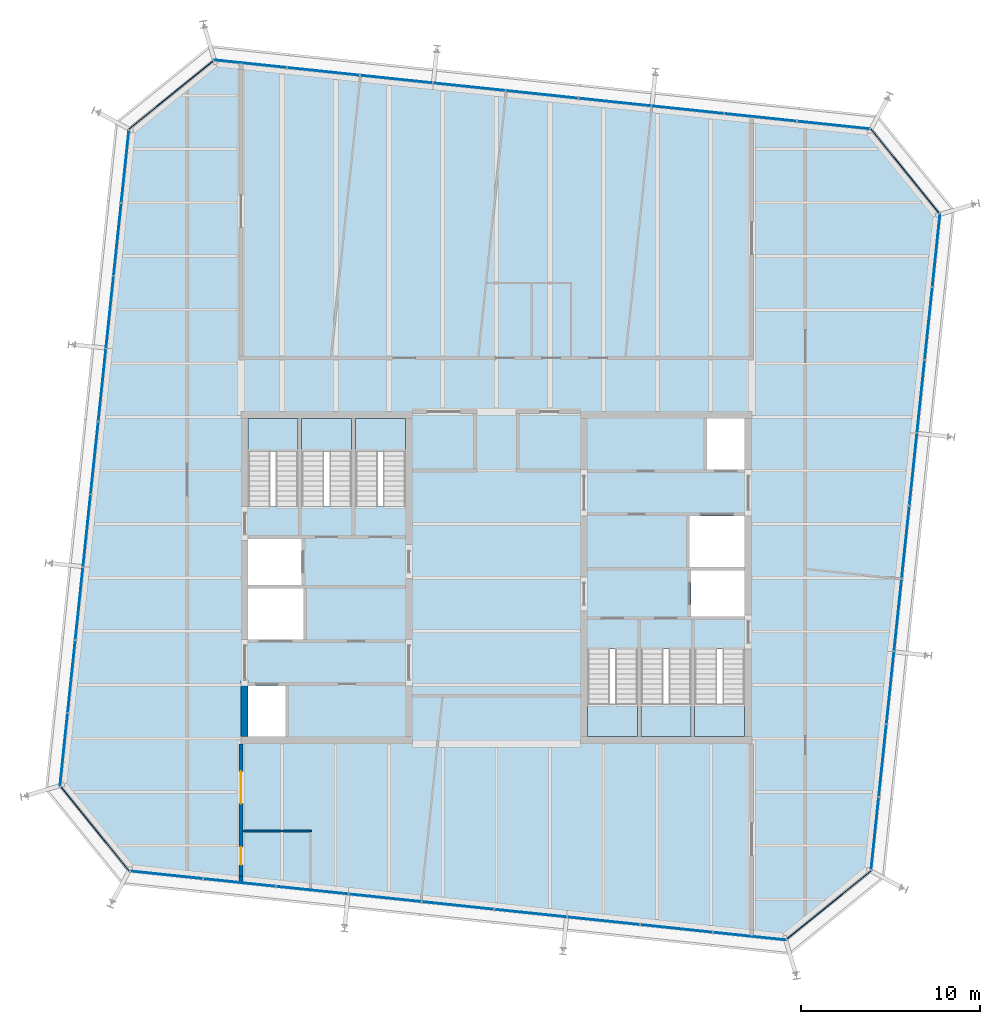
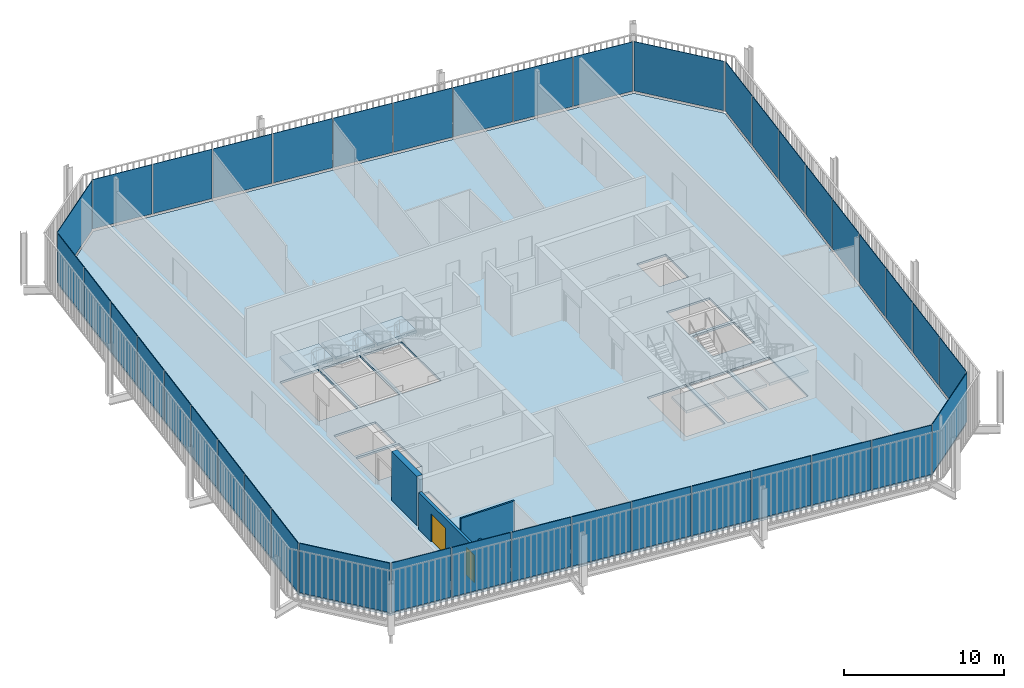
# One storey, part 15 of 20: 40 plates, 7 slabs, 4 walls, 2 doors, 2 openings, 14 elements without a shape of their own.
"""IFC4 building model written with IfcOpenShell, lengths in metres."""

from ifc_helpers import new_model, si_unit, direction, frame, frame_2d, origin, place, context, subcontext, project, spatial, polyline, rectangle, outline, extrude, material, layer, layer_set, type_object, element, fill, aggregate, save


model = new_model("IFC4")

# Units and contexts
model_context = context("Model", 3, precision=1e-05, world=origin(), true_north=direction((0.0, 1.0)))
body_context = subcontext(model_context, "Body", "Model", "MODEL_VIEW")
ifc_project = project(units=[si_unit("LENGTHUNIT", "METRE"), si_unit("AREAUNIT", "SQUARE_METRE"), si_unit("VOLUMEUNIT", "CUBIC_METRE"), si_unit("PLANEANGLEUNIT", "RADIAN"), si_unit("MASSUNIT", "GRAM", prefix="KILO")], contexts=[model_context])

# Site, building, storey
site_placement = place(None, origin())
site = spatial("IfcSite", under=ifc_project, at=site_placement, CompositionType="ELEMENT")
building_placement = place(site_placement, origin())
building = spatial("IfcBuilding", under=site, at=building_placement, Name="Millrace Tower", CompositionType="ELEMENT")
storey_placement = place(building_placement, frame((0.0, 0.0, 279.89990234375)))
storey = spatial("IfcBuildingStorey", under=building, at=storey_placement, Name="L64", CompositionType="ELEMENT", Elevation=279.89990234375)

# Curtain wall, plate
ifc_material_1 = material(Name="Aluminium and glass", Category="aluminium")
ifc_layer_1 = layer(ifc_material_1, 0.14990234375)
ifc_layer_set_1 = layer_set([ifc_layer_1], Name="Aluminium and glass")
curtain_wall_type = type_object("IfcCurtainWallType", Name="CW-1 office vision curtain wall", PredefinedType="NOTDEFINED", material=ifc_layer_set_1)
placement_1 = place(storey_placement, origin())
curtain_wall_1 = element("IfcCurtainWall", 1, at=placement_1, inside=storey, type_object=curtain_wall_type, Name="Curtain wall E-F01 L64", PredefinedType="NOTDEFINED")
ifc_material_2 = material(Name="Glass", Category="glass")
ifc_layer_2 = layer(ifc_material_2, 0.0439453125)
ifc_layer_set_2 = layer_set([ifc_layer_2], Name="Glass")
plate_type = type_object("IfcPlateType", Name="CW-1 office vision curtain wall triple-glazed vision panel", PredefinedType="CURTAIN_PANEL", material=ifc_layer_set_2)
placement_2 = place(storey_placement, frame((0.0, 0.0, 0.14013671875)))
plate_1 = element("IfcPlate", 2, at=placement_2, type_object=plate_type, Name="CW1 panel E-F01.1", PredefinedType="CURTAIN_PANEL", context=body_context, shape_type="SweptSolid", body=[
    extrude(outline(polyline([(-24.388427734375, -11.732421875), (-20.5771484375, -16.439208984375), (-20.554443359375, -16.397216796875), (-24.354248046875, -11.704833984375), (-24.388427734375, -11.732421875)])), origin(), (0.0, 0.0, 1.0), 3.760009765625),
])
aggregate(curtain_wall_1, [plate_1])

# Curtain wall, plates
curtain_wall_2 = element("IfcCurtainWall", 3, at=placement_1, inside=storey, type_object=curtain_wall_type, Name="Curtain wall E-F02 L64", PredefinedType="NOTDEFINED")
plate_2 = element("IfcPlate", 4, at=placement_2, type_object=plate_type, Name="CW1 panel E-F02.1", PredefinedType="CURTAIN_PANEL", context=body_context, shape_type="SweptSolid", body=[
    extrude(outline(polyline([(-20.472412109375, -16.4501953125), (-16.45947265625, -16.871826171875), (-16.454833984375, -16.828125), (-20.4677734375, -16.40625), (-20.472412109375, -16.4501953125)])), origin(), (0.0, 0.0, 1.0), 3.760009765625),
])
plate_3 = element("IfcPlate", 5, at=placement_2, type_object=plate_type, Name="CW1 panel E-F02.2", PredefinedType="CURTAIN_PANEL", context=body_context, shape_type="SweptSolid", body=[
    extrude(outline(polyline([(-16.39501953125, -16.878662109375), (-12.382080078125, -17.300537109375), (-12.37744140625, -17.256591796875), (-16.390380859375, -16.8349609375), (-16.39501953125, -16.878662109375)])), origin(), (0.0, 0.0, 1.0), 3.760009765625),
])
plate_4 = element("IfcPlate", 6, at=placement_2, type_object=plate_type, Name="CW1 panel E-F02.3", PredefinedType="CURTAIN_PANEL", context=body_context, shape_type="SweptSolid", body=[
    extrude(outline(polyline([(-12.3173828125, -17.30712890625), (-8.304443359375, -17.72900390625), (-8.2998046875, -17.685302734375), (-12.312744140625, -17.263427734375), (-12.3173828125, -17.30712890625)])), origin(), (0.0, 0.0, 1.0), 3.760009765625),
])
plate_5 = element("IfcPlate", 7, at=placement_2, type_object=plate_type, Name="CW1 panel E-F02.4", PredefinedType="CURTAIN_PANEL", context=body_context, shape_type="SweptSolid", body=[
    extrude(outline(polyline([(-8.23974609375, -17.73583984375), (-4.22705078125, -18.157470703125), (-4.222412109375, -18.11376953125), (-8.235107421875, -17.692138671875), (-8.23974609375, -17.73583984375)])), origin(), (0.0, 0.0, 1.0), 3.760009765625),
])
plate_6 = element("IfcPlate", 8, at=placement_2, type_object=plate_type, Name="CW1 panel E-F02.5", PredefinedType="CURTAIN_PANEL", context=body_context, shape_type="SweptSolid", body=[
    extrude(outline(polyline([(-4.162353515625, -18.164306640625), (-0.1494140625, -18.586181640625), (-0.144775390625, -18.54248046875), (-4.15771484375, -18.12060546875), (-4.162353515625, -18.164306640625)])), origin(), (0.0, 0.0, 1.0), 3.760009765625),
])
plate_7 = element("IfcPlate", 9, at=placement_2, type_object=plate_type, Name="CW1 panel E-F02.6", PredefinedType="CURTAIN_PANEL", context=body_context, shape_type="SweptSolid", body=[
    extrude(outline(polyline([(-0.084716796875, -18.593017578125), (3.92822265625, -19.0146484375), (3.932861328125, -18.970947265625), (-0.080078125, -18.549072265625), (-0.084716796875, -18.593017578125)])), origin(), (0.0, 0.0, 1.0), 3.760009765625),
])
plate_8 = element("IfcPlate", 10, at=placement_2, type_object=plate_type, Name="CW1 panel E-F02.7", PredefinedType="CURTAIN_PANEL", context=body_context, shape_type="SweptSolid", body=[
    extrude(outline(polyline([(3.99267578125, -19.021484375), (8.005615234375, -19.443359375), (8.01025390625, -19.3994140625), (3.997314453125, -18.977783203125), (3.99267578125, -19.021484375)])), origin(), (0.0, 0.0, 1.0), 3.760009765625),
])
plate_9 = element("IfcPlate", 11, at=placement_2, type_object=plate_type, Name="CW1 panel E-F02.8", PredefinedType="CURTAIN_PANEL", context=body_context, shape_type="SweptSolid", body=[
    extrude(outline(polyline([(8.0703125, -19.449951171875), (12.083251953125, -19.871826171875), (12.087890625, -19.828125), (8.074951171875, -19.40625), (8.0703125, -19.449951171875)])), origin(), (0.0, 0.0, 1.0), 3.760009765625),
])
plate_10 = element("IfcPlate", 12, at=placement_2, type_object=plate_type, Name="CW1 panel E-F02.9", PredefinedType="CURTAIN_PANEL", context=body_context, shape_type="SweptSolid", body=[
    extrude(outline(polyline([(12.14794921875, -19.878662109375), (16.20068359375, -20.3046875), (16.187255859375, -20.259033203125), (12.152587890625, -19.8349609375), (12.14794921875, -19.878662109375)])), origin(), (0.0, 0.0, 1.0), 3.760009765625),
])
aggregate(curtain_wall_2, [plate_2, plate_3, plate_4, plate_5, plate_6, plate_7, plate_8, plate_9, plate_10])

# Curtain wall, plate
curtain_wall_3 = element("IfcCurtainWall", 13, at=placement_1, inside=storey, type_object=curtain_wall_type, Name="Curtain wall E-F03 L64", PredefinedType="NOTDEFINED")
plate_11 = element("IfcPlate", 14, at=placement_2, type_object=plate_type, Name="CW1 panel E-F03.1", PredefinedType="CURTAIN_PANEL", context=body_context, shape_type="SweptSolid", body=[
    extrude(outline(polyline([(16.282470703125, -20.23828125), (20.989013671875, -16.427001953125), (20.947265625, -16.404296875), (16.2548828125, -20.2041015625), (16.282470703125, -20.23828125)])), origin(), (0.0, 0.0, 1.0), 3.760009765625),
])
aggregate(curtain_wall_3, [plate_11])

# Curtain wall, plates
curtain_wall_4 = element("IfcCurtainWall", 15, at=placement_1, inside=storey, type_object=curtain_wall_type, Name="Curtain wall E-F04 L64", PredefinedType="NOTDEFINED")
plate_12 = element("IfcPlate", 16, at=placement_2, type_object=plate_type, Name="CW1 panel E-F04.1", PredefinedType="CURTAIN_PANEL", context=body_context, shape_type="SweptSolid", body=[
    extrude(outline(polyline([(21.0, -16.322509765625), (21.421875, -12.3095703125), (21.378173828125, -12.304931640625), (20.956298828125, -16.31787109375), (21.0, -16.322509765625)])), origin(), (0.0, 0.0, 1.0), 3.760009765625),
])
plate_13 = element("IfcPlate", 17, at=placement_2, type_object=plate_type, Name="CW1 panel E-F04.2", PredefinedType="CURTAIN_PANEL", context=body_context, shape_type="SweptSolid", body=[
    extrude(outline(polyline([(21.4287109375, -12.244873046875), (21.850341796875, -8.23193359375), (21.806640625, -8.227294921875), (21.385009765625, -12.240234375), (21.4287109375, -12.244873046875)])), origin(), (0.0, 0.0, 1.0), 3.760009765625),
])
plate_14 = element("IfcPlate", 18, at=placement_2, type_object=plate_type, Name="CW1 panel E-F04.3", PredefinedType="CURTAIN_PANEL", context=body_context, shape_type="SweptSolid", body=[
    extrude(outline(polyline([(21.857177734375, -8.16748046875), (22.279052734375, -4.154541015625), (22.2353515625, -4.14990234375), (21.8134765625, -8.162841796875), (21.857177734375, -8.16748046875)])), origin(), (0.0, 0.0, 1.0), 3.760009765625),
])
plate_15 = element("IfcPlate", 19, at=placement_2, type_object=plate_type, Name="CW1 panel E-F04.4", PredefinedType="CURTAIN_PANEL", context=body_context, shape_type="SweptSolid", body=[
    extrude(outline(polyline([(22.285888671875, -4.08984375), (22.70751953125, -0.076904296875), (22.663818359375, -0.072265625), (22.241943359375, -4.085205078125), (22.285888671875, -4.08984375)])), origin(), (0.0, 0.0, 1.0), 3.760009765625),
])
plate_16 = element("IfcPlate", 20, at=placement_2, type_object=plate_type, Name="CW1 panel E-F04.5", PredefinedType="CURTAIN_PANEL", context=body_context, shape_type="SweptSolid", body=[
    extrude(outline(polyline([(22.71435546875, -0.01220703125), (23.13623046875, 4.00048828125), (23.09228515625, 4.005126953125), (22.670654296875, -0.007568359375), (22.71435546875, -0.01220703125)])), origin(), (0.0, 0.0, 1.0), 3.760009765625),
])
plate_17 = element("IfcPlate", 21, at=placement_2, type_object=plate_type, Name="CW1 panel E-F04.6", PredefinedType="CURTAIN_PANEL", context=body_context, shape_type="SweptSolid", body=[
    extrude(outline(polyline([(23.142822265625, 4.065185546875), (23.564697265625, 8.078125), (23.52099609375, 8.082763671875), (23.09912109375, 4.06982421875), (23.142822265625, 4.065185546875)])), origin(), (0.0, 0.0, 1.0), 3.760009765625),
])
plate_18 = element("IfcPlate", 22, at=placement_2, type_object=plate_type, Name="CW1 panel E-F04.7", PredefinedType="CURTAIN_PANEL", context=body_context, shape_type="SweptSolid", body=[
    extrude(outline(polyline([(23.571533203125, 8.142822265625), (23.9931640625, 12.15576171875), (23.949462890625, 12.160400390625), (23.52783203125, 8.1474609375), (23.571533203125, 8.142822265625)])), origin(), (0.0, 0.0, 1.0), 3.760009765625),
])
plate_19 = element("IfcPlate", 23, at=placement_2, type_object=plate_type, Name="CW1 panel E-F04.8", PredefinedType="CURTAIN_PANEL", context=body_context, shape_type="SweptSolid", body=[
    extrude(outline(polyline([(24.0, 12.22021484375), (24.421875, 16.233154296875), (24.378173828125, 16.23779296875), (23.956298828125, 12.224853515625), (24.0, 12.22021484375)])), origin(), (0.0, 0.0, 1.0), 3.760009765625),
])
plate_20 = element("IfcPlate", 24, at=placement_2, type_object=plate_type, Name="CW1 panel E-F04.9", PredefinedType="CURTAIN_PANEL", context=body_context, shape_type="SweptSolid", body=[
    extrude(outline(polyline([(24.4287109375, 16.2978515625), (24.8544921875, 20.350830078125), (24.808837890625, 20.337158203125), (24.384765625, 16.302490234375), (24.4287109375, 16.2978515625)])), origin(), (0.0, 0.0, 1.0), 3.760009765625),
])
aggregate(curtain_wall_4, [plate_12, plate_13, plate_14, plate_15, plate_16, plate_17, plate_18, plate_19, plate_20])

# Curtain wall, plate
curtain_wall_5 = element("IfcCurtainWall", 25, at=placement_1, inside=storey, type_object=curtain_wall_type, Name="Curtain wall E-F05 L64", PredefinedType="NOTDEFINED")
plate_21 = element("IfcPlate", 26, at=placement_2, type_object=plate_type, Name="CW1 panel E-F05.1", PredefinedType="CURTAIN_PANEL", context=body_context, shape_type="SweptSolid", body=[
    extrude(outline(polyline([(24.788330078125, 20.432373046875), (20.97705078125, 25.13916015625), (20.954345703125, 25.09716796875), (24.754150390625, 20.40478515625), (24.788330078125, 20.432373046875)])), origin(), (0.0, 0.0, 1.0), 3.760009765625),
])
aggregate(curtain_wall_5, [plate_21])

# Curtain wall, plates
curtain_wall_6 = element("IfcCurtainWall", 27, at=placement_1, inside=storey, type_object=curtain_wall_type, Name="Curtain wall E-F06 L64", PredefinedType="NOTDEFINED")
plate_22 = element("IfcPlate", 28, at=placement_2, type_object=plate_type, Name="CW1 panel E-F06.1", PredefinedType="CURTAIN_PANEL", context=body_context, shape_type="SweptSolid", body=[
    extrude(outline(polyline([(20.87255859375, 25.150146484375), (16.859619140625, 25.57177734375), (16.85498046875, 25.528076171875), (20.867919921875, 25.1064453125), (20.87255859375, 25.150146484375)])), origin(), (0.0, 0.0, 1.0), 3.760009765625),
])
plate_23 = element("IfcPlate", 29, at=placement_2, type_object=plate_type, Name="CW1 panel E-F06.2", PredefinedType="CURTAIN_PANEL", context=body_context, shape_type="SweptSolid", body=[
    extrude(outline(polyline([(16.794921875, 25.57861328125), (12.781982421875, 26.00048828125), (12.77734375, 25.956787109375), (16.790283203125, 25.534912109375), (16.794921875, 25.57861328125)])), origin(), (0.0, 0.0, 1.0), 3.760009765625),
])
plate_24 = element("IfcPlate", 30, at=placement_2, type_object=plate_type, Name="CW1 panel E-F06.3", PredefinedType="CURTAIN_PANEL", context=body_context, shape_type="SweptSolid", body=[
    extrude(outline(polyline([(12.71728515625, 26.00732421875), (8.70458984375, 26.428955078125), (8.699951171875, 26.38525390625), (12.712646484375, 25.96337890625), (12.71728515625, 26.00732421875)])), origin(), (0.0, 0.0, 1.0), 3.760009765625),
])
plate_25 = element("IfcPlate", 31, at=placement_2, type_object=plate_type, Name="CW1 panel E-F06.4", PredefinedType="CURTAIN_PANEL", context=body_context, shape_type="SweptSolid", body=[
    extrude(outline(polyline([(8.639892578125, 26.435791015625), (4.626953125, 26.857666015625), (4.622314453125, 26.813720703125), (8.63525390625, 26.39208984375), (8.639892578125, 26.435791015625)])), origin(), (0.0, 0.0, 1.0), 3.760009765625),
])
plate_26 = element("IfcPlate", 32, at=placement_2, type_object=plate_type, Name="CW1 panel E-F06.5", PredefinedType="CURTAIN_PANEL", context=body_context, shape_type="SweptSolid", body=[
    extrude(outline(polyline([(4.562255859375, 26.8642578125), (0.54931640625, 27.2861328125), (0.544677734375, 27.242431640625), (4.5576171875, 26.820556640625), (4.562255859375, 26.8642578125)])), origin(), (0.0, 0.0, 1.0), 3.760009765625),
])
plate_27 = element("IfcPlate", 33, at=placement_2, type_object=plate_type, Name="CW1 panel E-F06.6", PredefinedType="CURTAIN_PANEL", context=body_context, shape_type="SweptSolid", body=[
    extrude(outline(polyline([(0.48486328125, 27.29296875), (-3.528076171875, 27.714599609375), (-3.53271484375, 27.6708984375), (0.480224609375, 27.249267578125), (0.48486328125, 27.29296875)])), origin(), (0.0, 0.0, 1.0), 3.760009765625),
])
plate_28 = element("IfcPlate", 34, at=placement_2, type_object=plate_type, Name="CW1 panel E-F06.7", PredefinedType="CURTAIN_PANEL", context=body_context, shape_type="SweptSolid", body=[
    extrude(outline(polyline([(-3.5927734375, 27.721435546875), (-7.605712890625, 28.143310546875), (-7.6103515625, 28.099609375), (-3.597412109375, 27.677734375), (-3.5927734375, 27.721435546875)])), origin(), (0.0, 0.0, 1.0), 3.760009765625),
])
plate_29 = element("IfcPlate", 35, at=placement_2, type_object=plate_type, Name="CW1 panel E-F06.8", PredefinedType="CURTAIN_PANEL", context=body_context, shape_type="SweptSolid", body=[
    extrude(outline(polyline([(-7.67041015625, 28.150146484375), (-11.68310546875, 28.57177734375), (-11.687744140625, 28.528076171875), (-7.675048828125, 28.106201171875), (-7.67041015625, 28.150146484375)])), origin(), (0.0, 0.0, 1.0), 3.760009765625),
])
plate_30 = element("IfcPlate", 36, at=placement_2, type_object=plate_type, Name="CW1 panel E-F06.9", PredefinedType="CURTAIN_PANEL", context=body_context, shape_type="SweptSolid", body=[
    extrude(outline(polyline([(-11.747802734375, 28.57861328125), (-15.80078125, 29.004638671875), (-15.787109375, 28.958984375), (-11.75244140625, 28.534912109375), (-11.747802734375, 28.57861328125)])), origin(), (0.0, 0.0, 1.0), 3.760009765625),
])
aggregate(curtain_wall_6, [plate_22, plate_23, plate_24, plate_25, plate_26, plate_27, plate_28, plate_29, plate_30])

# Curtain wall, plate
curtain_wall_7 = element("IfcCurtainWall", 37, at=placement_1, inside=storey, type_object=curtain_wall_type, Name="Curtain wall E-F07 L64", PredefinedType="NOTDEFINED")
plate_31 = element("IfcPlate", 38, at=placement_2, type_object=plate_type, Name="CW1 panel E-F07.1", PredefinedType="CURTAIN_PANEL", context=body_context, shape_type="SweptSolid", body=[
    extrude(outline(polyline([(-15.882568359375, 28.9384765625), (-20.589111328125, 25.126953125), (-20.547119140625, 25.104248046875), (-15.854736328125, 28.904296875), (-15.882568359375, 28.9384765625)])), origin(), (0.0, 0.0, 1.0), 3.760009765625),
])
aggregate(curtain_wall_7, [plate_31])

# Curtain wall, plates
curtain_wall_8 = element("IfcCurtainWall", 39, at=placement_1, inside=storey, type_object=curtain_wall_type, Name="Curtain wall E-F08 L64", PredefinedType="NOTDEFINED")
plate_32 = element("IfcPlate", 40, at=placement_2, type_object=plate_type, Name="CW1 panel E-F08.1", PredefinedType="CURTAIN_PANEL", context=body_context, shape_type="SweptSolid", body=[
    extrude(outline(polyline([(-20.60009765625, 25.0224609375), (-21.02197265625, 21.009521484375), (-20.97802734375, 21.0048828125), (-20.556396484375, 25.017822265625), (-20.60009765625, 25.0224609375)])), origin(), (0.0, 0.0, 1.0), 3.760009765625),
])
plate_33 = element("IfcPlate", 41, at=placement_2, type_object=plate_type, Name="CW1 panel E-F08.2", PredefinedType="CURTAIN_PANEL", context=body_context, shape_type="SweptSolid", body=[
    extrude(outline(polyline([(-21.028564453125, 20.94482421875), (-21.450439453125, 16.93212890625), (-21.40673828125, 16.927490234375), (-20.98486328125, 20.9404296875), (-21.028564453125, 20.94482421875)])), origin(), (0.0, 0.0, 1.0), 3.760009765625),
])
plate_34 = element("IfcPlate", 42, at=placement_2, type_object=plate_type, Name="CW1 panel E-F08.3", PredefinedType="CURTAIN_PANEL", context=body_context, shape_type="SweptSolid", body=[
    extrude(outline(polyline([(-21.457275390625, 16.867431640625), (-21.87890625, 12.8544921875), (-21.835205078125, 12.849853515625), (-21.41357421875, 16.86279296875), (-21.457275390625, 16.867431640625)])), origin(), (0.0, 0.0, 1.0), 3.760009765625),
])
plate_35 = element("IfcPlate", 43, at=placement_2, type_object=plate_type, Name="CW1 panel E-F08.4", PredefinedType="CURTAIN_PANEL", context=body_context, shape_type="SweptSolid", body=[
    extrude(outline(polyline([(-21.8857421875, 12.789794921875), (-22.3076171875, 8.77685546875), (-22.263916015625, 8.772216796875), (-21.842041015625, 12.78515625), (-21.8857421875, 12.789794921875)])), origin(), (0.0, 0.0, 1.0), 3.760009765625),
])
plate_36 = element("IfcPlate", 44, at=placement_2, type_object=plate_type, Name="CW1 panel E-F08.5", PredefinedType="CURTAIN_PANEL", context=body_context, shape_type="SweptSolid", body=[
    extrude(outline(polyline([(-22.314453125, 8.71240234375), (-22.736083984375, 4.699462890625), (-22.6923828125, 4.69482421875), (-22.2705078125, 8.707763671875), (-22.314453125, 8.71240234375)])), origin(), (0.0, 0.0, 1.0), 3.760009765625),
])
plate_37 = element("IfcPlate", 45, at=placement_2, type_object=plate_type, Name="CW1 panel E-F08.6", PredefinedType="CURTAIN_PANEL", context=body_context, shape_type="SweptSolid", body=[
    extrude(outline(polyline([(-22.742919921875, 4.634765625), (-23.164794921875, 0.621826171875), (-23.120849609375, 0.6171875), (-22.69921875, 4.630126953125), (-22.742919921875, 4.634765625)])), origin(), (0.0, 0.0, 1.0), 3.760009765625),
])
plate_38 = element("IfcPlate", 46, at=placement_2, type_object=plate_type, Name="CW1 panel E-F08.7", PredefinedType="CURTAIN_PANEL", context=body_context, shape_type="SweptSolid", body=[
    extrude(outline(polyline([(-23.17138671875, 0.55712890625), (-23.59326171875, -3.45556640625), (-23.549560546875, -3.460205078125), (-23.127685546875, 0.552490234375), (-23.17138671875, 0.55712890625)])), origin(), (0.0, 0.0, 1.0), 3.760009765625),
])
plate_39 = element("IfcPlate", 47, at=placement_2, type_object=plate_type, Name="CW1 panel E-F08.8", PredefinedType="CURTAIN_PANEL", context=body_context, shape_type="SweptSolid", body=[
    extrude(outline(polyline([(-23.60009765625, -3.520263671875), (-24.021728515625, -7.533203125), (-23.97802734375, -7.537841796875), (-23.556396484375, -3.52490234375), (-23.60009765625, -3.520263671875)])), origin(), (0.0, 0.0, 1.0), 3.760009765625),
])
plate_40 = element("IfcPlate", 48, at=placement_2, type_object=plate_type, Name="CW1 panel E-F08.9", PredefinedType="CURTAIN_PANEL", context=body_context, shape_type="SweptSolid", body=[
    extrude(outline(polyline([(-24.028564453125, -7.597900390625), (-24.45458984375, -11.650634765625), (-24.408935546875, -11.63720703125), (-23.98486328125, -7.6025390625), (-24.028564453125, -7.597900390625)])), origin(), (0.0, 0.0, 1.0), 3.760009765625),
])
aggregate(curtain_wall_8, [plate_32, plate_33, plate_34, plate_35, plate_36, plate_37, plate_38, plate_39, plate_40])

# Slab
ifc_material_3 = material(Name="Concrete C35 on steel deck", Category="concrete")
ifc_layer_3 = layer(ifc_material_3, 0.159912109375)
ifc_layer_set_3 = layer_set([ifc_layer_3], Name="Concrete C35 on steel deck")
slab_type_1 = type_object("IfcSlabType", Name="Composite floor slab 160 mm", PredefinedType="FLOOR", material=ifc_layer_set_3)
slab_1_placement = place(storey_placement, frame((0.0, 0.0, -0.159912109375)))
element("IfcSlab", 49, at=slab_1_placement, inside=storey, type_object=slab_type_1, Name="SL-E-L64-S1", PredefinedType="FLOOR", context=body_context, shape_type="SweptSolid", body=[
    extrude(outline(polyline([(-24.35400390625, -11.620849609375), (-20.52685546875, -16.346923828125), (16.1708984375, -20.203857421875), (20.896728515625, -16.376953125), (24.75390625, 20.32080078125), (20.927001953125, 25.046875), (-15.77099609375, 28.90380859375), (-20.496826171875, 25.076904296875), (-24.35400390625, -11.620849609375)]), holes=[polyline([(-13.89990234375, -8.89990234375), (-11.800048828125, -8.89990234375), (-11.800048828125, -6.050048828125), (-13.89990234375, -6.050048828125), (-13.89990234375, -8.89990234375)]), polyline([(-13.89990234375, -3.449951171875), (-10.800048828125, -3.449951171875), (-10.800048828125, -0.60009765625), (-13.89990234375, -0.60009765625), (-13.89990234375, -3.449951171875)]), polyline([(-13.89990234375, -0.39990234375), (-10.89990234375, -0.39990234375), (-10.89990234375, 2.179931640625), (-13.89990234375, 2.179931640625), (-13.89990234375, -0.39990234375)]), polyline([(-13.89990234375, 4.0), (-11.10009765625, 4.0), (-11.10009765625, 8.89990234375), (-13.89990234375, 8.89990234375), (-13.89990234375, 4.0)]), polyline([(-10.89990234375, 4.0), (-8.10009765625, 4.0), (-8.10009765625, 8.89990234375), (-10.89990234375, 8.89990234375), (-10.89990234375, 4.0)]), polyline([(-7.89990234375, 4.0), (-5.10009765625, 4.0), (-5.10009765625, 8.89990234375), (-7.89990234375, 8.89990234375), (-7.89990234375, 4.0)]), polyline([(11.800048828125, 6.050048828125), (13.89990234375, 6.050048828125), (13.89990234375, 8.89990234375), (11.800048828125, 8.89990234375), (11.800048828125, 6.050048828125)]), polyline([(10.800048828125, 0.60009765625), (13.89990234375, 0.60009765625), (13.89990234375, 3.449951171875), (10.800048828125, 3.449951171875), (10.800048828125, 0.60009765625)]), polyline([(10.89990234375, -2.179931640625), (13.89990234375, -2.179931640625), (13.89990234375, 0.39990234375), (10.89990234375, 0.39990234375), (10.89990234375, -2.179931640625)]), polyline([(11.10009765625, -8.89990234375), (13.89990234375, -8.89990234375), (13.89990234375, -4.0), (11.10009765625, -4.0), (11.10009765625, -8.89990234375)]), polyline([(8.10009765625, -8.89990234375), (10.89990234375, -8.89990234375), (10.89990234375, -4.0), (8.10009765625, -4.0), (8.10009765625, -8.89990234375)]), polyline([(5.10009765625, -8.89990234375), (7.89990234375, -8.89990234375), (7.89990234375, -4.0), (5.10009765625, -4.0), (5.10009765625, -8.89990234375)])]), origin(), (0.0, 0.0, 1.0), 0.159912109375),
])

# Stair, slab
ifc_material_4 = material(Name="Concrete C35", Category="concrete")
stair_type = type_object("IfcStairType", Name="Exit stair", PredefinedType="HALF_TURN_STAIR", material=ifc_material_4)
stair_1 = element("IfcStair", 50, at=placement_1, inside=storey, type_object=stair_type, Name="Stair 1 W L64", PredefinedType="HALF_TURN_STAIR")
ifc_material_5 = material(Name="Concrete C40", Category="concrete")
ifc_layer_4 = layer(ifc_material_5, 0.199951171875)
ifc_layer_set_4 = layer_set([ifc_layer_4], Name="Concrete C40")
slab_type_2 = type_object("IfcSlabType", Name="Stair landing", PredefinedType="LANDING", material=ifc_layer_set_4)
placement_3 = place(storey_placement, frame((0.0, 0.0, 1.75)))
slab_2 = element("IfcSlab", 51, at=placement_3, type_object=slab_type_2, Name="ST12 landing 1", PredefinedType="LANDING", context=body_context, shape_type="SweptSolid", body=[
    extrude(outline(polyline([(-13.89990234375, 7.080078125), (-11.10009765625, 7.080078125), (-11.10009765625, 8.89990234375), (-13.89990234375, 8.89990234375), (-13.89990234375, 7.080078125)])), origin(), (0.0, 0.0, 1.0), 0.2001953125),
])
aggregate(stair_1, [slab_2])

stair_2 = element("IfcStair", 52, at=placement_1, inside=storey, type_object=stair_type, Name="Stair 2 W L64", PredefinedType="HALF_TURN_STAIR")
slab_3 = element("IfcSlab", 53, at=placement_3, type_object=slab_type_2, Name="ST12 landing 1", PredefinedType="LANDING", context=body_context, shape_type="SweptSolid", body=[
    extrude(outline(polyline([(-10.89990234375, 7.080078125), (-8.10009765625, 7.080078125), (-8.10009765625, 8.89990234375), (-10.89990234375, 8.89990234375), (-10.89990234375, 7.080078125)])), origin(), (0.0, 0.0, 1.0), 0.2001953125),
])
aggregate(stair_2, [slab_3])

stair_3 = element("IfcStair", 54, at=placement_1, inside=storey, type_object=stair_type, Name="Stair 3 W L64", PredefinedType="HALF_TURN_STAIR")
slab_4 = element("IfcSlab", 55, at=placement_3, type_object=slab_type_2, Name="ST12 landing 1", PredefinedType="LANDING", context=body_context, shape_type="SweptSolid", body=[
    extrude(outline(polyline([(-7.89990234375, 7.080078125), (-5.10009765625, 7.080078125), (-5.10009765625, 8.89990234375), (-7.89990234375, 8.89990234375), (-7.89990234375, 7.080078125)])), origin(), (0.0, 0.0, 1.0), 0.2001953125),
])
aggregate(stair_3, [slab_4])

stair_4 = element("IfcStair", 56, at=placement_1, inside=storey, type_object=stair_type, Name="Stair 1 E L64", PredefinedType="HALF_TURN_STAIR")
slab_5 = element("IfcSlab", 57, at=placement_3, type_object=slab_type_2, Name="ST12 landing 1", PredefinedType="LANDING", context=body_context, shape_type="SweptSolid", body=[
    extrude(outline(polyline([(11.10009765625, -8.89990234375), (13.89990234375, -8.89990234375), (13.89990234375, -7.080078125), (11.10009765625, -7.080078125), (11.10009765625, -8.89990234375)])), origin(), (0.0, 0.0, 1.0), 0.2001953125),
])
aggregate(stair_4, [slab_5])

stair_5 = element("IfcStair", 58, at=placement_1, inside=storey, type_object=stair_type, Name="Stair 2 E L64", PredefinedType="HALF_TURN_STAIR")
slab_6 = element("IfcSlab", 59, at=placement_3, type_object=slab_type_2, Name="ST12 landing 1", PredefinedType="LANDING", context=body_context, shape_type="SweptSolid", body=[
    extrude(outline(polyline([(8.10009765625, -8.89990234375), (10.89990234375, -8.89990234375), (10.89990234375, -7.080078125), (8.10009765625, -7.080078125), (8.10009765625, -8.89990234375)])), origin(), (0.0, 0.0, 1.0), 0.2001953125),
])
aggregate(stair_5, [slab_6])

stair_6 = element("IfcStair", 60, at=placement_1, inside=storey, type_object=stair_type, Name="Stair 3 E L64", PredefinedType="HALF_TURN_STAIR")
slab_7 = element("IfcSlab", 61, at=placement_3, type_object=slab_type_2, Name="ST12 landing 1", PredefinedType="LANDING", context=body_context, shape_type="SweptSolid", body=[
    extrude(outline(polyline([(5.10009765625, -8.89990234375), (7.89990234375, -8.89990234375), (7.89990234375, -7.080078125), (5.10009765625, -7.080078125), (5.10009765625, -8.89990234375)])), origin(), (0.0, 0.0, 1.0), 0.2001953125),
])
aggregate(stair_6, [slab_7])

# Walls
ifc_material_6 = material(Name="Concrete C60", Category="concrete")
ifc_layer_5 = layer(ifc_material_6, 0.39990234375)
ifc_layer_set_5 = layer_set([ifc_layer_5], Name="Concrete C60")
wall_type_1 = type_object("IfcWallType", Name="Core wall 400 Concrete C60", PredefinedType="SHEAR", material=ifc_layer_set_5)
wall_1_placement = place(storey_placement, frame((-14.10009765625, -8.89990234375, 0.0), z_axis=(0.0, 0.0, 1.0), x_axis=(0.0, 1.0, 0.0)))
element("IfcWall", 62, at=wall_1_placement, inside=storey, type_object=wall_type_1, Name="Core wall W L64", PredefinedType="SHEAR", context=body_context, shape_type="SweptSolid", body=[
    extrude(rectangle(XDim=3.14990234375, YDim=0.39990234375, at=frame_2d((1.574951171875, 0.0))), origin(), (0.0, 0.0, 1.0), 3.739990234375),
])
ifc_material_7 = material(Name="Masonry partition, fire-rated", Category="masonry")
ifc_layer_6 = layer(ifc_material_7, 0.199951171875)
ifc_layer_set_6 = layer_set([ifc_layer_6], Name="Masonry partition, fire-rated")
wall_type_2 = type_object("IfcWallType", Name="Corridor wall 200", PredefinedType="PARTITIONING", material=ifc_layer_set_6)
wall_2_placement = place(storey_placement, frame((-14.300048828125, -17.031494140625, 0.0), z_axis=(0.0, 0.0, 1.0), x_axis=(0.0, 1.0, 0.0)))
element("IfcWall", 63, at=wall_2_placement, inside=storey, type_object=wall_type_2, Name="Corridor wall L64", PredefinedType="PARTITIONING", context=body_context, shape_type="SweptSolid", body=[
    extrude(rectangle(XDim=0.339111328125, YDim=0.199951171875, at=frame_2d((0.16943359375, 0.0))), origin(), (0.0, 0.0, 1.0), 3.739990234375),
])

# Wall, openings, doors
wall_3_placement = place(storey_placement, frame((-14.300048828125, -16.6923828125, 0.0), z_axis=(0.0, 0.0, 1.0), x_axis=(0.0, 1.0, 0.0)))
wall_3 = element("IfcWall", 64, at=wall_3_placement, inside=storey, type_object=wall_type_2, Name="Corridor wall L64", PredefinedType="PARTITIONING", context=body_context, shape_type="SweptSolid", body=[
    extrude(rectangle(XDim=7.392333984375, YDim=0.199951171875, at=frame_2d((3.6962890625, 0.0))), origin(), (0.0, 0.0, 1.0), 2.81298828125),
])
opening_1_placement = place(wall_3_placement, frame((4.0517578125, 0.0, 0.0)))
opening_1 = element("IfcOpeningElement", 65, at=opening_1_placement, cuts=wall_3, Name="Opening 64-P012", PredefinedType="OPENING", context=body_context, shape_type="SweptSolid", body=[
    extrude(rectangle(XDim=1.800048828125, YDim=2.10009765625, at=frame_2d((0.89990234375, 1.050048828125))), frame((0.0, 0.10986328125, 0.0), z_axis=(0.0, -1.0, 0.0), x_axis=(1.0, 0.0, 0.0)), (0.0, 0.0, 1.0), 0.219970703125),
])
opening_2_placement = place(wall_3_placement, frame((0.611328125, 0.0, 0.0)))
opening_2 = element("IfcOpeningElement", 66, at=opening_2_placement, cuts=wall_3, Name="Opening 64-P013", PredefinedType="OPENING", context=body_context, shape_type="SweptSolid", body=[
    extrude(rectangle(XDim=1.0, YDim=2.10009765625, at=frame_2d((0.5, 1.050048828125))), frame((0.0, 0.10986328125, 0.0), z_axis=(0.0, -1.0, 0.0), x_axis=(1.0, 0.0, 0.0)), (0.0, 0.0, 1.0), 0.219970703125),
])
ifc_material_8 = material(Name="Steel door set, fire-rated", Category="steel")
door_type_1 = type_object("IfcDoorType", Name="Corridor door 1000 x 2100", OperationType="SINGLE_SWING_LEFT", PredefinedType="DOOR", material=ifc_material_8)
door_1_placement = place(opening_2_placement, frame((1.0, 0.0, 0.0), z_axis=(0.0, 0.0, 1.0), x_axis=(-1.0, 0.0, 0.0)))
door_1 = element("IfcDoor", 67, at=door_1_placement, inside=storey, type_object=door_type_1, Name="Door 64-P013", OperationType="SINGLE_SWING_RIGHT", OverallHeight=2.10009765625, OverallWidth=1.0, PredefinedType="DOOR", context=body_context, shape_type="SweptSolid", body=[
    extrude(rectangle(XDim=1.0, YDim=2.10009765625, at=frame_2d((0.5, 1.050048828125))), frame((0.0, 0.02490234375, 0.0), z_axis=(0.0, -1.0, 0.0), x_axis=(1.0, 0.0, 0.0)), (0.0, 0.0, 1.0), 0.050048828125),
])
fill(opening_2, door_1)
ifc_material_9 = material(Name="Steel door set, fire-rated", Category="steel")
door_type_2 = type_object("IfcDoorType", Name="Corridor door 1800 x 2100", OperationType="DOUBLE_DOOR_SINGLE_SWING", PredefinedType="DOOR", material=ifc_material_9)
door_2_placement = place(opening_1_placement, frame((1.800048828125, 0.0, 0.0), z_axis=(0.0, 0.0, 1.0), x_axis=(-1.0, 0.0, 0.0)))
door_2 = element("IfcDoor", 68, at=door_2_placement, inside=storey, type_object=door_type_2, Name="Door 64-P012", OperationType="DOUBLE_DOOR_SINGLE_SWING", OverallHeight=2.10009765625, OverallWidth=1.800048828125, PredefinedType="DOOR", context=body_context, shape_type="SweptSolid", body=[
    extrude(rectangle(XDim=1.800048828125, YDim=2.10009765625, at=frame_2d((0.89990234375, 1.050048828125))), frame((0.0, 0.02490234375, 0.0), z_axis=(0.0, -1.0, 0.0), x_axis=(1.0, 0.0, 0.0)), (0.0, 0.0, 1.0), 0.050048828125),
])
fill(opening_1, door_2)

# Wall
ifc_material_10 = material(Name="Gypsum board partition")
ifc_layer_7 = layer(ifc_material_10, 0.1201171875)
ifc_layer_set_7 = layer_set([ifc_layer_7], Name="Gypsum board partition")
wall_type_3 = type_object("IfcWallType", Name="Partition wall 120", PredefinedType="PARTITIONING", material=ifc_layer_set_7)
wall_4_placement = place(storey_placement, frame((-14.199951171875, -14.180908203125, 0.0), z_axis=(0.0, 0.0, 1.0), x_axis=(1.0, 0.0, 0.0)))
element("IfcWall", 69, at=wall_4_placement, inside=storey, type_object=wall_type_3, Name="Partition wall L64", PredefinedType="PARTITIONING", context=body_context, shape_type="SweptSolid", body=[
    extrude(rectangle(XDim=3.85986328125, YDim=0.1201171875, at=frame_2d((1.929931640625, 0.0))), origin(), (0.0, 0.0, 1.0), 3.739990234375),
])

save(model, "model.ifc")
